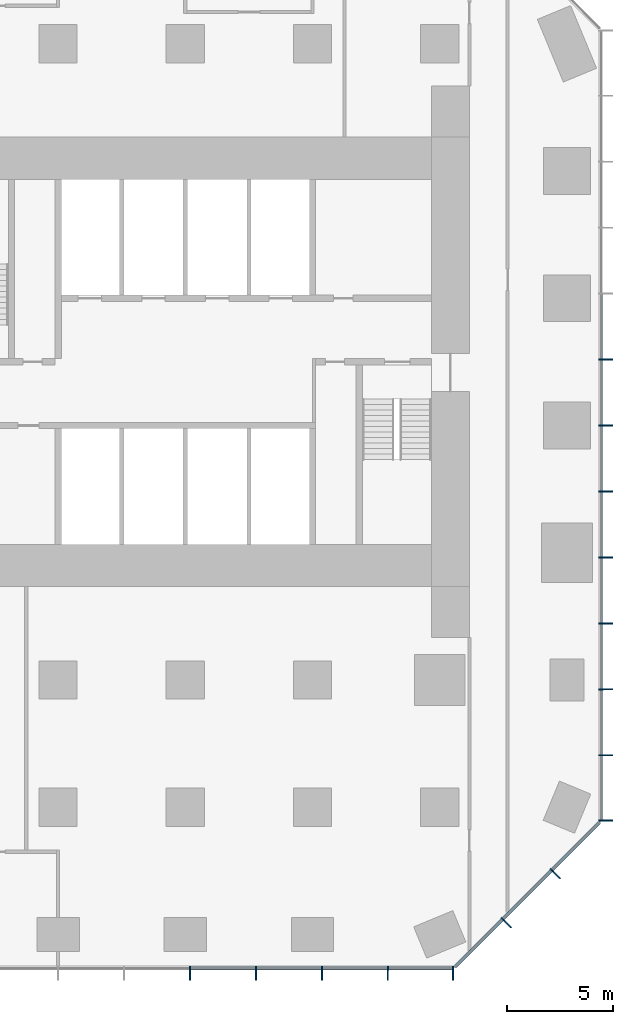
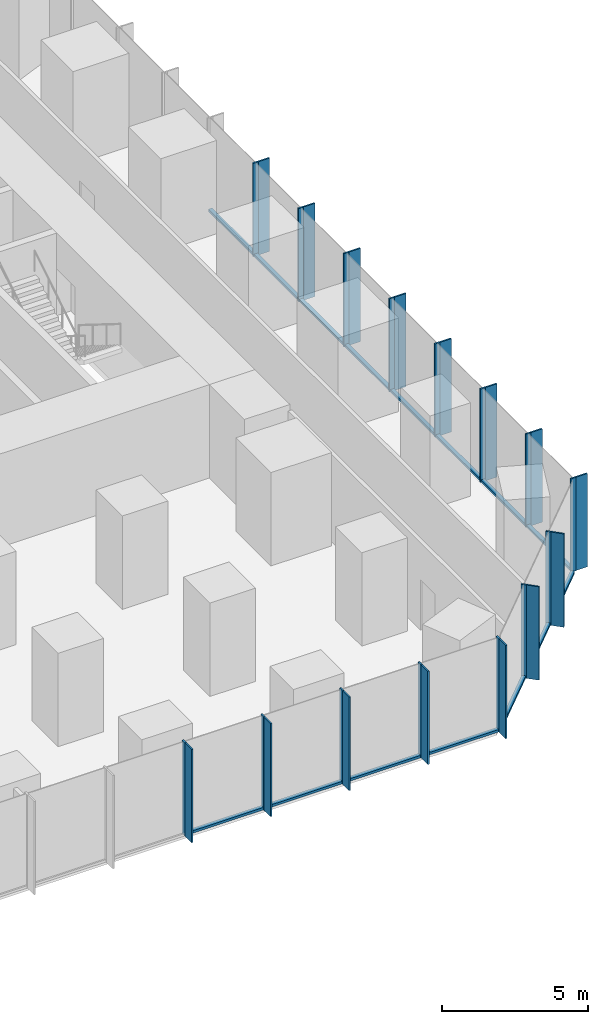
# One storey, part 4 of 11: 45 members, 3 elements without a shape of their own.
"""IFC4 building model written with IfcOpenShell, lengths in metres."""

import ifcopenshell
import ifcopenshell.guid

model = None  # the IFC model being written
_history = None  # IfcOwnerHistory: only IFC2X3 demands one
_inside = {}  # id of a spatial element -> (the spatial element, [elements in it])
_under = {}  # id of a project, library or spatial element -> (it, [spatial elements below it])
_declared = {}  # id of a project -> (the project, [libraries it declares])
_typed = {}  # id of a type object -> (the type object, [elements of that type])
_made_of = {}  # id of a material, layer set ... -> (it, [elements and type objects made of it])


def new_model(schema):
    """Start an empty IFC model of exactly this schema.

    Asked for "IFC4X3", IfcOpenShell would pick the latest addendum, in which some entities
    have other attributes; the version numbers below select the first issue.
    IFC2X3 requires an IfcOwnerHistory on every rooted entity: one is made here for all.
    """
    global model, _history
    if schema == "IFC4X3":
        model = ifcopenshell.file(schema_version=(4, 3, 0, 0))
    else:
        model = ifcopenshell.file(schema=schema)
    _inside.clear()
    _under.clear()
    _declared.clear()
    _typed.clear()
    _made_of.clear()
    _history = None
    if model.schema == "IFC2X3":
        org = make("IfcOrganization", Name="unknown")
        user = make(
            "IfcPersonAndOrganization",
            ThePerson=make("IfcPerson", FamilyName="unknown"),
            TheOrganization=org,
        )
        app = make(
            "IfcApplication",
            ApplicationDeveloper=org,
            Version="unknown",
            ApplicationFullName="unknown",
            ApplicationIdentifier="unknown",
        )
        _history = make(
            "IfcOwnerHistory",
            OwningUser=user,
            OwningApplication=app,
            ChangeAction="ADDED",
            CreationDate=0,
        )
    return model


def make(cls, **values):
    """One entity of the class cls with the attributes given. An attribute that is None is left unset."""
    return model.create_entity(
        cls, **{name: value for name, value in values.items() if value is not None}
    )


def rooted(cls, **values):
    """An entity with a GlobalId (a new one), such as an element, a storey or a relation."""
    return make(cls, GlobalId=ifcopenshell.guid.new(), OwnerHistory=_history, **values)


def si_unit(unit_type, name, prefix=None):
    """IfcSIUnit, for example si_unit("LENGTHUNIT", "METRE", prefix="MILLI")."""
    return make("IfcSIUnit", UnitType=unit_type, Prefix=prefix, Name=name)


def assignment(units):
    """IfcUnitAssignment: the units of a project."""
    return None if units is None else make("IfcUnitAssignment", Units=units)


def point(xyz):
    """IfcCartesianPoint."""
    return None if xyz is None else make("IfcCartesianPoint", Coordinates=xyz)


def direction(xyz):
    """IfcDirection."""
    return None if xyz is None else make("IfcDirection", DirectionRatios=xyz)


def frame(location, z_axis=None, x_axis=None):
    """IfcAxis2Placement3D, a coordinate frame: its origin and axes. An axis left out is left unset."""
    return make(
        "IfcAxis2Placement3D",
        Location=point(location),
        Axis=direction(z_axis),
        RefDirection=direction(x_axis),
    )


def frame_2d(location, x_axis=None):
    """IfcAxis2Placement2D, a coordinate frame in the plane: its origin and x axis."""
    return make(
        "IfcAxis2Placement2D", Location=point(location), RefDirection=direction(x_axis)
    )


def origin():
    """The frame at (0, 0, 0) with its axes left unset."""
    return frame((0.0, 0.0, 0.0))


def origin_2d():
    """The frame at (0, 0) in the plane with its x axis left unset."""
    return frame_2d((0.0, 0.0))


def place(relative_to, where):
    """IfcLocalPlacement: puts the frame where relative to a parent placement (None: the world)."""
    return make(
        "IfcLocalPlacement", PlacementRelTo=relative_to, RelativePlacement=where
    )


def context(
    kind, dimensions, precision=None, world=None, true_north=None, identifier=None
):
    """IfcGeometricRepresentationContext, for example the 3D "Model" context."""
    return make(
        "IfcGeometricRepresentationContext",
        ContextIdentifier=identifier,
        ContextType=kind,
        CoordinateSpaceDimension=dimensions,
        Precision=precision,
        WorldCoordinateSystem=world,
        TrueNorth=true_north,
    )


def subcontext(parent, identifier, kind, view, scale=None):
    """IfcGeometricRepresentationSubContext, for example "Body" below "Model"."""
    return make(
        "IfcGeometricRepresentationSubContext",
        ContextIdentifier=identifier,
        ContextType=kind,
        ParentContext=parent,
        TargetScale=scale,
        TargetView=view,
    )


def project(units=None, contexts=None):
    """IfcProject with its units and contexts."""
    return rooted(
        "IfcProject",
        Name="project",
        RepresentationContexts=contexts,
        UnitsInContext=assignment(units),
    )


def spatial(cls, under=None, at=None, **own):
    """A site, building, storey or space (cls), placed at a placement, below another one or the project."""
    s = rooted(cls, ObjectPlacement=at, **own)
    if under is not None:
        _under.setdefault(under.id(), (under, []))[1].append(s)
    return s


def profile(cls, at=None, kind="AREA", **sizes):
    """A parametric profile (cls). Its sizes go by their IFC names, for example OverallWidth=200.0."""
    return make(cls, ProfileType=kind, Position=at, **sizes)


def rectangle(**sizes):
    """IfcRectangleProfileDef."""
    return profile("IfcRectangleProfileDef", **sizes)


def extrude(swept, where, along, depth):
    """IfcExtrudedAreaSolid: the profile swept, set in the frame where, extruded along a direction by depth."""
    return make(
        "IfcExtrudedAreaSolid",
        SweptArea=swept,
        Position=where,
        ExtrudedDirection=direction(along),
        Depth=depth,
    )


def shape(context_of_items, identifier, shape_type, items):
    """IfcShapeRepresentation: the items that make up one representation, for example the "Body"."""
    return make(
        "IfcShapeRepresentation",
        ContextOfItems=context_of_items,
        RepresentationIdentifier=identifier,
        RepresentationType=shape_type,
        Items=items,
    )


def material(Name=None, Category=None):
    """IfcMaterial."""
    return make("IfcMaterial", Name=Name, Category=Category)


def layer(
    of_material, thickness, ventilated=None, Name=None, Category=None, Priority=None
):
    """IfcMaterialLayer: one layer of a wall or slab, of a material (None: an air gap)."""
    return make(
        "IfcMaterialLayer",
        Material=of_material,
        LayerThickness=thickness,
        IsVentilated=ventilated,
        Name=Name,
        Category=Category,
        Priority=Priority,
    )


def layer_set(layers, Name=None):
    """IfcMaterialLayerSet."""
    return make("IfcMaterialLayerSet", MaterialLayers=layers, LayerSetName=Name)


def material_profile(
    of_material, cross_section, Name=None, Category=None, Priority=None
):
    """IfcMaterialProfile: a cross section and its material."""
    return make(
        "IfcMaterialProfile",
        Name=Name,
        Material=of_material,
        Profile=cross_section,
        Priority=Priority,
        Category=Category,
    )


def profile_set(profiles, Name=None, composite=None):
    """IfcMaterialProfileSet."""
    return make(
        "IfcMaterialProfileSet",
        Name=Name,
        MaterialProfiles=profiles,
        CompositeProfile=composite,
    )


def made_of(thing, what):
    """Note that an element or type object is made of a material, layer set ...; save() writes the relation."""
    if what is not None:
        _made_of.setdefault(what.id(), (what, []))[1].append(thing)
    return thing


def type_object(cls, material=None, **own):
    """A type object (cls), such as IfcWallType, which elements share."""
    return made_of(rooted(cls, **own), material)


def element(
    cls,
    number,
    at=None,
    inside=None,
    cuts=None,
    type_object=None,
    material=None,
    context=None,
    identifier="Body",
    shape_type=None,
    held_by="IfcProductDefinitionShape",
    body=None,
    shapes=None,
    **own,
):
    """One element of the class cls, such as IfcWall. Its Tag is "e" and its number.

    at: its placement. inside: the storey or other place that contains it. cuts: it is an
    opening in that element (IfcRelVoidsElement). A single representation is given by context,
    identifier, shape_type and body (its items); several are given by shapes. held_by: the class
    of the entity that holds the representations. save() writes the other relations.
    """
    e = rooted(cls, Tag="e%d" % number, ObjectPlacement=at, **own)
    if body is not None:
        shapes = [shape(context, identifier, shape_type, body)]
    if shapes is not None:
        e.Representation = make(held_by, Representations=shapes)
    if inside is not None:
        _inside.setdefault(inside.id(), (inside, []))[1].append(e)
    if cuts is not None:
        rooted(
            "IfcRelVoidsElement", RelatingBuildingElement=cuts, RelatedOpeningElement=e
        )
    if type_object is not None:
        _typed.setdefault(type_object.id(), (type_object, []))[1].append(e)
    return made_of(e, material)


def aggregate(whole, parts):
    """IfcRelAggregates: a whole, such as a stair, and the parts it consists of."""
    return rooted("IfcRelAggregates", RelatingObject=whole, RelatedObjects=parts)


def save(model, path):
    """Write the relations noted so far, then the file.

    IfcRelAggregates (storeys below a building ...), IfcRelContainedInSpatialStructure (elements
    in a storey), IfcRelDefinesByType, IfcRelAssociatesMaterial and IfcRelDeclares: one each for
    every whole, place, type object, material and project.
    """
    for whole, parts in _under.values():
        aggregate(whole, parts)
    for where, things in _inside.values():
        rooted(
            "IfcRelContainedInSpatialStructure",
            RelatedElements=things,
            RelatingStructure=where,
        )
    for kind, things in _typed.values():
        rooted("IfcRelDefinesByType", RelatedObjects=things, RelatingType=kind)
    for what, things in _made_of.values():
        rooted("IfcRelAssociatesMaterial", RelatedObjects=things, RelatingMaterial=what)
    for by, libraries in _declared.values():
        rooted("IfcRelDeclares", RelatingContext=by, RelatedDefinitions=libraries)
    model.write(path)


model = new_model("IFC4")

# Units and contexts
model_context = context("Model", 3, precision=1e-05, world=origin(), true_north=direction((0.0, 1.0)))
body_context = subcontext(model_context, "Body", "Model", "MODEL_VIEW")
ifc_project = project(units=[si_unit("LENGTHUNIT", "METRE"), si_unit("AREAUNIT", "SQUARE_METRE"), si_unit("VOLUMEUNIT", "CUBIC_METRE"), si_unit("PLANEANGLEUNIT", "RADIAN"), si_unit("MASSUNIT", "GRAM", prefix="KILO")], contexts=[model_context])

# Site, building, storey
site_placement = place(None, origin())
site = spatial("IfcSite", under=ifc_project, at=site_placement, CompositionType="ELEMENT")
building_placement = place(site_placement, origin())
building = spatial("IfcBuilding", under=site, at=building_placement, Name="Highveld Stack Headquarters", CompositionType="ELEMENT")
storey_placement = place(building_placement, frame((0.0, 0.0, 29.89990234375)))
storey = spatial("IfcBuildingStorey", under=building, at=storey_placement, Name="L06", CompositionType="ELEMENT", Elevation=29.89990234375)

# Curtain wall, members
ifc_material_1 = material(Name="Aluminium bronze anodised", Category="aluminium")
ifc_layer_1 = layer(ifc_material_1, 0.199951171875)
ifc_layer_set_1 = layer_set([ifc_layer_1], Name="Aluminium bronze anodised")
curtain_wall_type_1 = type_object("IfcCurtainWallType", Name="CW1 TOWER UNITISED CURTAIN WALL", PredefinedType="NOTDEFINED", material=ifc_layer_set_1)
curtain_wall_1_placement = place(storey_placement, origin())
curtain_wall_1 = element("IfcCurtainWall", 1, at=curtain_wall_1_placement, inside=storey, type_object=curtain_wall_type_1, Name="Curtain wall CW1 L06 S", PredefinedType="NOTDEFINED")
ifc_material_2 = material(Name="Aluminium bronze anodised", Category="aluminium")
ifc_material_profile_1 = material_profile(ifc_material_2, rectangle(XDim=0.449951171875, YDim=0.06005859375, at=origin_2d()), Name="FIN 450x60")
ifc_profile_set_1 = profile_set([ifc_material_profile_1], Name="Aluminium bronze anodised")
member_type_1 = type_object("IfcMemberType", Name="CW1 BRONZE FIN 450x60", PredefinedType="USERDEFINED", material=ifc_profile_set_1)
member_1_placement = place(storey_placement, frame((6.220947265625, -25.925048828125, 0.0), z_axis=(0.0, 0.0, 1.0), x_axis=(0.0, 1.0, 0.0)))
member_1 = element("IfcMember", 2, at=member_1_placement, type_object=member_type_1, Name="CW1 fin L06 9", ObjectType="FIN", PredefinedType="USERDEFINED", context=body_context, shape_type="SweptSolid", body=[
    extrude(rectangle(XDim=0.449951171875, YDim=0.06005859375, at=origin_2d()), origin(), (0.0, 0.0, 1.0), 3.900146484375),
])
member_2_placement = place(storey_placement, frame((9.331298828125, -25.925048828125, 0.0), z_axis=(0.0, 0.0, 1.0), x_axis=(0.0, 1.0, 0.0)))
member_2 = element("IfcMember", 3, at=member_2_placement, type_object=member_type_1, Name="CW1 fin L06 10", ObjectType="FIN", PredefinedType="USERDEFINED", context=body_context, shape_type="SweptSolid", body=[
    extrude(rectangle(XDim=0.449951171875, YDim=0.06005859375, at=origin_2d()), origin(), (0.0, 0.0, 1.0), 3.900146484375),
])
member_3_placement = place(storey_placement, frame((12.44189453125, -25.925048828125, 0.0), z_axis=(0.0, 0.0, 1.0), x_axis=(0.0, 1.0, 0.0)))
member_3 = element("IfcMember", 4, at=member_3_placement, type_object=member_type_1, Name="CW1 fin L06 11", ObjectType="FIN", PredefinedType="USERDEFINED", context=body_context, shape_type="SweptSolid", body=[
    extrude(rectangle(XDim=0.449951171875, YDim=0.06005859375, at=origin_2d()), origin(), (0.0, 0.0, 1.0), 3.900146484375),
])
member_4_placement = place(storey_placement, frame((15.55224609375, -25.925048828125, 0.0), z_axis=(0.0, 0.0, 1.0), x_axis=(0.0, 1.0, 0.0)))
member_4 = element("IfcMember", 5, at=member_4_placement, type_object=member_type_1, Name="CW1 fin L06 12", ObjectType="FIN", PredefinedType="USERDEFINED", context=body_context, shape_type="SweptSolid", body=[
    extrude(rectangle(XDim=0.449951171875, YDim=0.06005859375, at=origin_2d()), origin(), (0.0, 0.0, 1.0), 3.900146484375),
])
member_5_placement = place(storey_placement, frame((18.630126953125, -25.925048828125, 0.0), z_axis=(0.0, 0.0, 1.0), x_axis=(0.0, 1.0, 0.0)))
member_5 = element("IfcMember", 6, at=member_5_placement, type_object=member_type_1, Name="CW1 fin L06 13", ObjectType="FIN", PredefinedType="USERDEFINED", context=body_context, shape_type="SweptSolid", body=[
    extrude(rectangle(XDim=0.449951171875, YDim=0.06005859375, at=origin_2d()), origin(), (0.0, 0.0, 1.0), 3.900146484375),
])

curtain_wall_2_placement = place(storey_placement, origin())
curtain_wall_2 = element("IfcCurtainWall", 7, at=curtain_wall_2_placement, inside=storey, type_object=curtain_wall_type_1, Name="Curtain wall CW1 L06 E", PredefinedType="NOTDEFINED")
member_6_placement = place(storey_placement, frame((25.925048828125, -18.630126953125, 0.0), z_axis=(0.0, 0.0, 1.0), x_axis=(-1.0, 0.0, 0.0)))
member_6 = element("IfcMember", 8, at=member_6_placement, type_object=member_type_1, Name="CW1 fin L06 1", ObjectType="FIN", PredefinedType="USERDEFINED", context=body_context, shape_type="SweptSolid", body=[
    extrude(rectangle(XDim=0.449951171875, YDim=0.06005859375, at=origin_2d()), origin(), (0.0, 0.0, 1.0), 3.900146484375),
])
member_7_placement = place(storey_placement, frame((25.925048828125, -15.55224609375, 0.0), z_axis=(0.0, 0.0, 1.0), x_axis=(-1.0, 0.0, 0.0)))
member_7 = element("IfcMember", 9, at=member_7_placement, type_object=member_type_1, Name="CW1 fin L06 2", ObjectType="FIN", PredefinedType="USERDEFINED", context=body_context, shape_type="SweptSolid", body=[
    extrude(rectangle(XDim=0.449951171875, YDim=0.06005859375, at=origin_2d()), origin(), (0.0, 0.0, 1.0), 3.900146484375),
])
member_8_placement = place(storey_placement, frame((25.925048828125, -12.44189453125, 0.0), z_axis=(0.0, 0.0, 1.0), x_axis=(-1.0, 0.0, 0.0)))
member_8 = element("IfcMember", 10, at=member_8_placement, type_object=member_type_1, Name="CW1 fin L06 3", ObjectType="FIN", PredefinedType="USERDEFINED", context=body_context, shape_type="SweptSolid", body=[
    extrude(rectangle(XDim=0.449951171875, YDim=0.06005859375, at=origin_2d()), origin(), (0.0, 0.0, 1.0), 3.900146484375),
])
member_9_placement = place(storey_placement, frame((25.925048828125, -9.331298828125, 0.0), z_axis=(0.0, 0.0, 1.0), x_axis=(-1.0, 0.0, 0.0)))
member_9 = element("IfcMember", 11, at=member_9_placement, type_object=member_type_1, Name="CW1 fin L06 4", ObjectType="FIN", PredefinedType="USERDEFINED", context=body_context, shape_type="SweptSolid", body=[
    extrude(rectangle(XDim=0.449951171875, YDim=0.06005859375, at=origin_2d()), origin(), (0.0, 0.0, 1.0), 3.900146484375),
])
member_10_placement = place(storey_placement, frame((25.925048828125, -6.220947265625, 0.0), z_axis=(0.0, 0.0, 1.0), x_axis=(-1.0, 0.0, 0.0)))
member_10 = element("IfcMember", 12, at=member_10_placement, type_object=member_type_1, Name="CW1 fin L06 5", ObjectType="FIN", PredefinedType="USERDEFINED", context=body_context, shape_type="SweptSolid", body=[
    extrude(rectangle(XDim=0.449951171875, YDim=0.06005859375, at=origin_2d()), origin(), (0.0, 0.0, 1.0), 3.900146484375),
])
member_11_placement = place(storey_placement, frame((25.925048828125, -3.110595703125, 0.0), z_axis=(0.0, 0.0, 1.0), x_axis=(-1.0, 0.0, 0.0)))
member_11 = element("IfcMember", 13, at=member_11_placement, type_object=member_type_1, Name="CW1 fin L06 6", ObjectType="FIN", PredefinedType="USERDEFINED", context=body_context, shape_type="SweptSolid", body=[
    extrude(rectangle(XDim=0.449951171875, YDim=0.06005859375, at=origin_2d()), origin(), (0.0, 0.0, 1.0), 3.900146484375),
])
member_12_placement = place(storey_placement, frame((25.925048828125, 0.0, 0.0), z_axis=(0.0, 0.0, 1.0), x_axis=(-1.0, 0.0, 0.0)))
member_12 = element("IfcMember", 14, at=member_12_placement, type_object=member_type_1, Name="CW1 fin L06 7", ObjectType="FIN", PredefinedType="USERDEFINED", context=body_context, shape_type="SweptSolid", body=[
    extrude(rectangle(XDim=0.449951171875, YDim=0.06005859375, at=origin_2d()), origin(), (0.0, 0.0, 1.0), 3.900146484375),
])
member_13_placement = place(storey_placement, frame((25.925048828125, 3.110595703125, 0.0), z_axis=(0.0, 0.0, 1.0), x_axis=(-1.0, 0.0, 0.0)))
member_13 = element("IfcMember", 15, at=member_13_placement, type_object=member_type_1, Name="CW1 fin L06 8", ObjectType="FIN", PredefinedType="USERDEFINED", context=body_context, shape_type="SweptSolid", body=[
    extrude(rectangle(XDim=0.449951171875, YDim=0.06005859375, at=origin_2d()), origin(), (0.0, 0.0, 1.0), 3.900146484375),
])

# Member
ifc_material_3 = material(Name="Aluminium bronze anodised", Category="aluminium")
ifc_material_profile_2 = material_profile(ifc_material_3, rectangle(XDim=0.199951171875, YDim=0.06494140625, at=origin_2d()), Name="CW1 MULLION 65x200")
ifc_profile_set_2 = profile_set([ifc_material_profile_2], Name="Aluminium bronze anodised")
member_type_2 = type_object("IfcMemberType", Name="CW1 MULLION 65x200", PredefinedType="MULLION", material=ifc_profile_set_2)
member_14_placement = place(storey_placement, frame((6.220947265625, -25.60009765625, 0.0), z_axis=(0.0, 0.0, 1.0), x_axis=(0.0, 1.0, 0.0)))
member_14 = element("IfcMember", 16, at=member_14_placement, type_object=member_type_2, Name="CW1 mullion L06 9", PredefinedType="MULLION", context=body_context, shape_type="SweptSolid", body=[
    extrude(rectangle(XDim=0.199951171875, YDim=0.06494140625, at=origin_2d()), origin(), (0.0, 0.0, 1.0), 3.900146484375),
])

member_15_placement = place(storey_placement, frame((9.331298828125, -25.60009765625, 0.0), z_axis=(0.0, 0.0, 1.0), x_axis=(0.0, 1.0, 0.0)))
member_15 = element("IfcMember", 17, at=member_15_placement, type_object=member_type_2, Name="CW1 mullion L06 10", PredefinedType="MULLION", context=body_context, shape_type="SweptSolid", body=[
    extrude(rectangle(XDim=0.199951171875, YDim=0.06494140625, at=origin_2d()), origin(), (0.0, 0.0, 1.0), 3.900146484375),
])

member_16_placement = place(storey_placement, frame((12.44189453125, -25.60009765625, 0.0), z_axis=(0.0, 0.0, 1.0), x_axis=(0.0, 1.0, 0.0)))
member_16 = element("IfcMember", 18, at=member_16_placement, type_object=member_type_2, Name="CW1 mullion L06 11", PredefinedType="MULLION", context=body_context, shape_type="SweptSolid", body=[
    extrude(rectangle(XDim=0.199951171875, YDim=0.06494140625, at=origin_2d()), origin(), (0.0, 0.0, 1.0), 3.900146484375),
])

member_17_placement = place(storey_placement, frame((15.55224609375, -25.60009765625, 0.0), z_axis=(0.0, 0.0, 1.0), x_axis=(0.0, 1.0, 0.0)))
member_17 = element("IfcMember", 19, at=member_17_placement, type_object=member_type_2, Name="CW1 mullion L06 12", PredefinedType="MULLION", context=body_context, shape_type="SweptSolid", body=[
    extrude(rectangle(XDim=0.199951171875, YDim=0.06494140625, at=origin_2d()), origin(), (0.0, 0.0, 1.0), 3.900146484375),
])

member_18_placement = place(storey_placement, frame((18.630126953125, -25.60009765625, 0.0), z_axis=(0.0, 0.0, 1.0), x_axis=(0.0, 1.0, 0.0)))
member_18 = element("IfcMember", 20, at=member_18_placement, type_object=member_type_2, Name="CW1 mullion L06 13", PredefinedType="MULLION", context=body_context, shape_type="SweptSolid", body=[
    extrude(rectangle(XDim=0.199951171875, YDim=0.06494140625, at=origin_2d()), origin(), (0.0, 0.0, 1.0), 3.900146484375),
])

member_19_placement = place(storey_placement, frame((25.60009765625, -18.630126953125, 0.0), z_axis=(0.0, 0.0, 1.0), x_axis=(-1.0, 0.0, 0.0)))
member_19 = element("IfcMember", 21, at=member_19_placement, type_object=member_type_2, Name="CW1 mullion L06 1", PredefinedType="MULLION", context=body_context, shape_type="SweptSolid", body=[
    extrude(rectangle(XDim=0.199951171875, YDim=0.06494140625, at=origin_2d()), origin(), (0.0, 0.0, 1.0), 3.900146484375),
])

member_20_placement = place(storey_placement, frame((25.60009765625, -15.55224609375, 0.0), z_axis=(0.0, 0.0, 1.0), x_axis=(-1.0, 0.0, 0.0)))
member_20 = element("IfcMember", 22, at=member_20_placement, type_object=member_type_2, Name="CW1 mullion L06 2", PredefinedType="MULLION", context=body_context, shape_type="SweptSolid", body=[
    extrude(rectangle(XDim=0.199951171875, YDim=0.06494140625, at=origin_2d()), origin(), (0.0, 0.0, 1.0), 3.900146484375),
])

member_21_placement = place(storey_placement, frame((25.60009765625, -12.44189453125, 0.0), z_axis=(0.0, 0.0, 1.0), x_axis=(-1.0, 0.0, 0.0)))
member_21 = element("IfcMember", 23, at=member_21_placement, type_object=member_type_2, Name="CW1 mullion L06 3", PredefinedType="MULLION", context=body_context, shape_type="SweptSolid", body=[
    extrude(rectangle(XDim=0.199951171875, YDim=0.06494140625, at=origin_2d()), origin(), (0.0, 0.0, 1.0), 3.900146484375),
])

member_22_placement = place(storey_placement, frame((25.60009765625, -9.331298828125, 0.0), z_axis=(0.0, 0.0, 1.0), x_axis=(-1.0, 0.0, 0.0)))
member_22 = element("IfcMember", 24, at=member_22_placement, type_object=member_type_2, Name="CW1 mullion L06 4", PredefinedType="MULLION", context=body_context, shape_type="SweptSolid", body=[
    extrude(rectangle(XDim=0.199951171875, YDim=0.06494140625, at=origin_2d()), origin(), (0.0, 0.0, 1.0), 3.900146484375),
])

member_23_placement = place(storey_placement, frame((25.60009765625, -6.220947265625, 0.0), z_axis=(0.0, 0.0, 1.0), x_axis=(-1.0, 0.0, 0.0)))
member_23 = element("IfcMember", 25, at=member_23_placement, type_object=member_type_2, Name="CW1 mullion L06 5", PredefinedType="MULLION", context=body_context, shape_type="SweptSolid", body=[
    extrude(rectangle(XDim=0.199951171875, YDim=0.06494140625, at=origin_2d()), origin(), (0.0, 0.0, 1.0), 3.900146484375),
])

member_24_placement = place(storey_placement, frame((25.60009765625, -3.110595703125, 0.0), z_axis=(0.0, 0.0, 1.0), x_axis=(-1.0, 0.0, 0.0)))
member_24 = element("IfcMember", 26, at=member_24_placement, type_object=member_type_2, Name="CW1 mullion L06 6", PredefinedType="MULLION", context=body_context, shape_type="SweptSolid", body=[
    extrude(rectangle(XDim=0.199951171875, YDim=0.06494140625, at=origin_2d()), origin(), (0.0, 0.0, 1.0), 3.900146484375),
])

member_25_placement = place(storey_placement, frame((25.60009765625, 0.0, 0.0), z_axis=(0.0, 0.0, 1.0), x_axis=(-1.0, 0.0, 0.0)))
member_25 = element("IfcMember", 27, at=member_25_placement, type_object=member_type_2, Name="CW1 mullion L06 7", PredefinedType="MULLION", context=body_context, shape_type="SweptSolid", body=[
    extrude(rectangle(XDim=0.199951171875, YDim=0.06494140625, at=origin_2d()), origin(), (0.0, 0.0, 1.0), 3.900146484375),
])

member_26_placement = place(storey_placement, frame((25.60009765625, 3.110595703125, 0.0), z_axis=(0.0, 0.0, 1.0), x_axis=(-1.0, 0.0, 0.0)))
member_26 = element("IfcMember", 28, at=member_26_placement, type_object=member_type_2, Name="CW1 mullion L06 8", PredefinedType="MULLION", context=body_context, shape_type="SweptSolid", body=[
    extrude(rectangle(XDim=0.199951171875, YDim=0.06494140625, at=origin_2d()), origin(), (0.0, 0.0, 1.0), 3.900146484375),
])

ifc_material_4 = material(Name="Aluminium bronze anodised", Category="aluminium")
ifc_material_profile_3 = material_profile(ifc_material_4, rectangle(XDim=0.14990234375, YDim=0.10009765625, at=origin_2d()), Name="CW1 TRANSOM 150x100")
ifc_profile_set_3 = profile_set([ifc_material_profile_3], Name="Aluminium bronze anodised")
member_type_3 = type_object("IfcMemberType", Name="CW1 STACK TRANSOM 150x100", PredefinedType="USERDEFINED", material=ifc_profile_set_3)
member_27_placement = place(storey_placement, frame((6.25341796875, -25.60009765625, 0.050048828125), z_axis=(1.0, 0.0, 0.0), x_axis=(0.0, 1.0, 0.0)))
member_27 = element("IfcMember", 29, at=member_27_placement, type_object=member_type_3, Name="CW1 transom L06 9.1", ObjectType="TRANSOM", PredefinedType="USERDEFINED", context=body_context, shape_type="SweptSolid", body=[
    extrude(rectangle(XDim=0.14990234375, YDim=0.10009765625, at=origin_2d()), origin(), (0.0, 0.0, 1.0), 3.04541015625),
])

member_28_placement = place(storey_placement, frame((9.36376953125, -25.60009765625, 0.050048828125), z_axis=(1.0, 0.0, 0.0), x_axis=(0.0, 1.0, 0.0)))
member_28 = element("IfcMember", 30, at=member_28_placement, type_object=member_type_3, Name="CW1 transom L06 10.1", ObjectType="TRANSOM", PredefinedType="USERDEFINED", context=body_context, shape_type="SweptSolid", body=[
    extrude(rectangle(XDim=0.14990234375, YDim=0.10009765625, at=origin_2d()), origin(), (0.0, 0.0, 1.0), 3.04541015625),
])

member_29_placement = place(storey_placement, frame((12.474365234375, -25.60009765625, 0.050048828125), z_axis=(1.0, 0.0, 0.0), x_axis=(0.0, 1.0, 0.0)))
member_29 = element("IfcMember", 31, at=member_29_placement, type_object=member_type_3, Name="CW1 transom L06 11.1", ObjectType="TRANSOM", PredefinedType="USERDEFINED", context=body_context, shape_type="SweptSolid", body=[
    extrude(rectangle(XDim=0.14990234375, YDim=0.10009765625, at=origin_2d()), origin(), (0.0, 0.0, 1.0), 3.04541015625),
])

member_30_placement = place(storey_placement, frame((15.584716796875, -25.60009765625, 0.050048828125), z_axis=(1.0, 0.0, 0.0), x_axis=(0.0, 1.0, 0.0)))
member_30 = element("IfcMember", 32, at=member_30_placement, type_object=member_type_3, Name="CW1 transom L06 12.1", ObjectType="TRANSOM", PredefinedType="USERDEFINED", context=body_context, shape_type="SweptSolid", body=[
    extrude(rectangle(XDim=0.14990234375, YDim=0.10009765625, at=origin_2d()), origin(), (0.0, 0.0, 1.0), 3.012939453125),
])

aggregate(curtain_wall_1, [member_14, member_1, member_15, member_2, member_16, member_3, member_17, member_4, member_18, member_5, member_27, member_28, member_29, member_30])

member_31_placement = place(storey_placement, frame((25.60009765625, -18.59765625, 0.050048828125), z_axis=(0.0, 1.0, 0.0), x_axis=(-1.0, 0.0, 0.0)))
member_31 = element("IfcMember", 33, at=member_31_placement, type_object=member_type_3, Name="CW1 transom L06 1.1", ObjectType="TRANSOM", PredefinedType="USERDEFINED", context=body_context, shape_type="SweptSolid", body=[
    extrude(rectangle(XDim=0.14990234375, YDim=0.10009765625, at=origin_2d()), origin(), (0.0, 0.0, 1.0), 3.012939453125),
])

member_32_placement = place(storey_placement, frame((25.60009765625, -15.519775390625, 0.050048828125), z_axis=(0.0, 1.0, 0.0), x_axis=(-1.0, 0.0, 0.0)))
member_32 = element("IfcMember", 34, at=member_32_placement, type_object=member_type_3, Name="CW1 transom L06 2.1", ObjectType="TRANSOM", PredefinedType="USERDEFINED", context=body_context, shape_type="SweptSolid", body=[
    extrude(rectangle(XDim=0.14990234375, YDim=0.10009765625, at=origin_2d()), origin(), (0.0, 0.0, 1.0), 3.04541015625),
])

member_33_placement = place(storey_placement, frame((25.60009765625, -12.4091796875, 0.050048828125), z_axis=(0.0, 1.0, 0.0), x_axis=(-1.0, 0.0, 0.0)))
member_33 = element("IfcMember", 35, at=member_33_placement, type_object=member_type_3, Name="CW1 transom L06 3.1", ObjectType="TRANSOM", PredefinedType="USERDEFINED", context=body_context, shape_type="SweptSolid", body=[
    extrude(rectangle(XDim=0.14990234375, YDim=0.10009765625, at=origin_2d()), origin(), (0.0, 0.0, 1.0), 3.045166015625),
])

member_34_placement = place(storey_placement, frame((25.60009765625, -9.298828125, 0.050048828125), z_axis=(0.0, 1.0, 0.0), x_axis=(-1.0, 0.0, 0.0)))
member_34 = element("IfcMember", 36, at=member_34_placement, type_object=member_type_3, Name="CW1 transom L06 4.1", ObjectType="TRANSOM", PredefinedType="USERDEFINED", context=body_context, shape_type="SweptSolid", body=[
    extrude(rectangle(XDim=0.14990234375, YDim=0.10009765625, at=origin_2d()), origin(), (0.0, 0.0, 1.0), 3.04541015625),
])

member_35_placement = place(storey_placement, frame((25.60009765625, -6.1884765625, 0.050048828125), z_axis=(0.0, 1.0, 0.0), x_axis=(-1.0, 0.0, 0.0)))
member_35 = element("IfcMember", 37, at=member_35_placement, type_object=member_type_3, Name="CW1 transom L06 5.1", ObjectType="TRANSOM", PredefinedType="USERDEFINED", context=body_context, shape_type="SweptSolid", body=[
    extrude(rectangle(XDim=0.14990234375, YDim=0.10009765625, at=origin_2d()), origin(), (0.0, 0.0, 1.0), 3.04541015625),
])

member_36_placement = place(storey_placement, frame((25.60009765625, -3.077880859375, 0.050048828125), z_axis=(0.0, 1.0, 0.0), x_axis=(-1.0, 0.0, 0.0)))
member_36 = element("IfcMember", 38, at=member_36_placement, type_object=member_type_3, Name="CW1 transom L06 6.1", ObjectType="TRANSOM", PredefinedType="USERDEFINED", context=body_context, shape_type="SweptSolid", body=[
    extrude(rectangle(XDim=0.14990234375, YDim=0.10009765625, at=origin_2d()), origin(), (0.0, 0.0, 1.0), 3.04541015625),
])

member_37_placement = place(storey_placement, frame((25.60009765625, 0.032470703125, 0.050048828125), z_axis=(0.0, 1.0, 0.0), x_axis=(-1.0, 0.0, 0.0)))
member_37 = element("IfcMember", 39, at=member_37_placement, type_object=member_type_3, Name="CW1 transom L06 7.1", ObjectType="TRANSOM", PredefinedType="USERDEFINED", context=body_context, shape_type="SweptSolid", body=[
    extrude(rectangle(XDim=0.14990234375, YDim=0.10009765625, at=origin_2d()), origin(), (0.0, 0.0, 1.0), 3.04541015625),
])

member_38_placement = place(storey_placement, frame((25.60009765625, 3.142822265625, 0.050048828125), z_axis=(0.0, 1.0, 0.0), x_axis=(-1.0, 0.0, 0.0)))
member_38 = element("IfcMember", 40, at=member_38_placement, type_object=member_type_3, Name="CW1 transom L06 8.1", ObjectType="TRANSOM", PredefinedType="USERDEFINED", context=body_context, shape_type="SweptSolid", body=[
    extrude(rectangle(XDim=0.14990234375, YDim=0.10009765625, at=origin_2d()), origin(), (0.0, 0.0, 1.0), 3.045654296875),
])

aggregate(curtain_wall_2, [member_19, member_6, member_20, member_7, member_21, member_8, member_22, member_9, member_23, member_10, member_24, member_11, member_25, member_12, member_26, member_13, member_31, member_32, member_33, member_34, member_35, member_36, member_37, member_38])

# Curtain wall, members
ifc_material_5 = material(Name="Aluminium bronze anodised", Category="aluminium")
ifc_layer_2 = layer(ifc_material_5, 0.199951171875)
ifc_layer_set_2 = layer_set([ifc_layer_2], Name="Aluminium bronze anodised")
curtain_wall_type_2 = type_object("IfcCurtainWallType", Name="CW2 TOWER CHAMFER UNITISED CURTAIN WALL", PredefinedType="NOTDEFINED", material=ifc_layer_set_2)
curtain_wall_3_placement = place(storey_placement, origin())
curtain_wall_3 = element("IfcCurtainWall", 41, at=curtain_wall_3_placement, inside=storey, type_object=curtain_wall_type_2, Name="Curtain wall CW2 L06 SE", PredefinedType="NOTDEFINED")
ifc_material_6 = material(Name="Aluminium bronze anodised", Category="aluminium")
ifc_material_profile_4 = material_profile(ifc_material_6, rectangle(XDim=0.449951171875, YDim=0.06005859375, at=origin_2d()), Name="FIN 450x60")
ifc_profile_set_4 = profile_set([ifc_material_profile_4], Name="Aluminium bronze anodised")
member_type_4 = type_object("IfcMemberType", Name="CW2 BRONZE FIN 450x60", PredefinedType="USERDEFINED", material=ifc_profile_set_4)
member_39_placement = place(storey_placement, frame((21.204833984375, -23.517333984375, 0.0), z_axis=(0.0, 0.0, 1.0), x_axis=(-0.707106781187, 0.707106781187, 0.0)))
member_39 = element("IfcMember", 42, at=member_39_placement, type_object=member_type_4, Name="CW2 fin L06 1", ObjectType="FIN", PredefinedType="USERDEFINED", context=body_context, shape_type="SweptSolid", body=[
    extrude(rectangle(XDim=0.449951171875, YDim=0.06005859375, at=origin_2d()), origin(), (0.0, 0.0, 1.0), 3.900146484375),
])
member_40_placement = place(storey_placement, frame((23.517333984375, -21.204833984375, 0.0), z_axis=(0.0, 0.0, 1.0), x_axis=(-0.707106781187, 0.707106781187, 0.0)))
member_40 = element("IfcMember", 43, at=member_40_placement, type_object=member_type_4, Name="CW2 fin L06 2", ObjectType="FIN", PredefinedType="USERDEFINED", context=body_context, shape_type="SweptSolid", body=[
    extrude(rectangle(XDim=0.449951171875, YDim=0.06005859375, at=origin_2d()), origin(), (0.0, 0.0, 1.0), 3.900146484375),
])
ifc_material_7 = material(Name="Aluminium bronze anodised", Category="aluminium")
ifc_material_profile_5 = material_profile(ifc_material_7, rectangle(XDim=0.199951171875, YDim=0.06494140625, at=origin_2d()), Name="CW2 MULLION 65x200")
ifc_profile_set_5 = profile_set([ifc_material_profile_5], Name="Aluminium bronze anodised")
member_type_5 = type_object("IfcMemberType", Name="CW2 MULLION 65x200", PredefinedType="MULLION", material=ifc_profile_set_5)
member_41_placement = place(storey_placement, frame((20.97509765625, -23.28759765625, 0.0), z_axis=(0.0, 0.0, 1.0), x_axis=(-0.707106781187, 0.707106781187, 0.0)))
member_41 = element("IfcMember", 44, at=member_41_placement, type_object=member_type_5, Name="CW2 mullion L06 1", PredefinedType="MULLION", context=body_context, shape_type="SweptSolid", body=[
    extrude(rectangle(XDim=0.199951171875, YDim=0.06494140625, at=origin_2d()), origin(), (0.0, 0.0, 1.0), 3.900146484375),
])
member_42_placement = place(storey_placement, frame((23.28759765625, -20.97509765625, 0.0), z_axis=(0.0, 0.0, 1.0), x_axis=(-0.707106781187, 0.707106781187, 0.0)))
member_42 = element("IfcMember", 45, at=member_42_placement, type_object=member_type_5, Name="CW2 mullion L06 2", PredefinedType="MULLION", context=body_context, shape_type="SweptSolid", body=[
    extrude(rectangle(XDim=0.199951171875, YDim=0.06494140625, at=origin_2d()), origin(), (0.0, 0.0, 1.0), 3.900146484375),
])
ifc_material_8 = material(Name="Aluminium bronze anodised", Category="aluminium")
ifc_material_profile_6 = material_profile(ifc_material_8, rectangle(XDim=0.14990234375, YDim=0.10009765625, at=origin_2d()), Name="CW2 TRANSOM 150x100")
ifc_profile_set_6 = profile_set([ifc_material_profile_6], Name="Aluminium bronze anodised")
member_type_6 = type_object("IfcMemberType", Name="CW2 STACK TRANSOM 150x100", PredefinedType="USERDEFINED", material=ifc_profile_set_6)
member_43_placement = place(storey_placement, frame((18.7333984375, -25.529296875, 0.050048828125), z_axis=(0.707106781187, 0.707106781187, 0.0), x_axis=(-0.707106781187, 0.707106781187, 0.0)))
member_43 = element("IfcMember", 46, at=member_43_placement, type_object=member_type_6, Name="CW2 transom L06 1.1", ObjectType="TRANSOM", PredefinedType="USERDEFINED", context=body_context, shape_type="SweptSolid", body=[
    extrude(rectangle(XDim=0.14990234375, YDim=0.10009765625, at=origin_2d()), origin(), (0.0, 0.0, 1.0), 3.1376953125),
])
member_44_placement = place(storey_placement, frame((20.998046875, -23.2646484375, 0.050048828125), z_axis=(0.707106781187, 0.707106781187, 0.0), x_axis=(-0.707106781187, 0.707106781187, 0.0)))
member_44 = element("IfcMember", 47, at=member_44_placement, type_object=member_type_6, Name="CW2 transom L06 2.1", ObjectType="TRANSOM", PredefinedType="USERDEFINED", context=body_context, shape_type="SweptSolid", body=[
    extrude(rectangle(XDim=0.14990234375, YDim=0.10009765625, at=origin_2d()), origin(), (0.0, 0.0, 1.0), 3.20556640625),
])
member_45_placement = place(storey_placement, frame((23.310546875, -20.9521484375, 0.050048828125), z_axis=(0.707106781187, 0.707106781187, 0.0), x_axis=(-0.707106781187, 0.707106781187, 0.0)))
member_45 = element("IfcMember", 48, at=member_45_placement, type_object=member_type_6, Name="CW2 transom L06 3.1", ObjectType="TRANSOM", PredefinedType="USERDEFINED", context=body_context, shape_type="SweptSolid", body=[
    extrude(rectangle(XDim=0.14990234375, YDim=0.10009765625, at=origin_2d()), origin(), (0.0, 0.0, 1.0), 3.1376953125),
])
aggregate(curtain_wall_3, [member_41, member_39, member_42, member_40, member_43, member_44, member_45])

save(model, "model.ifc")
